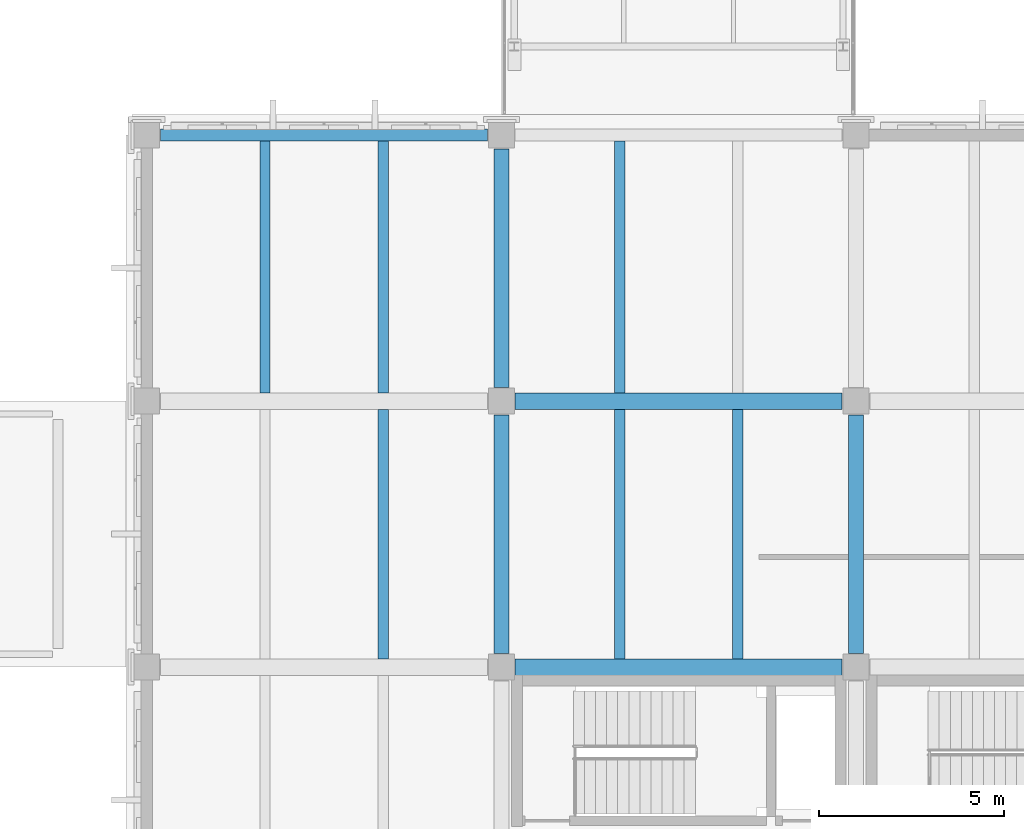
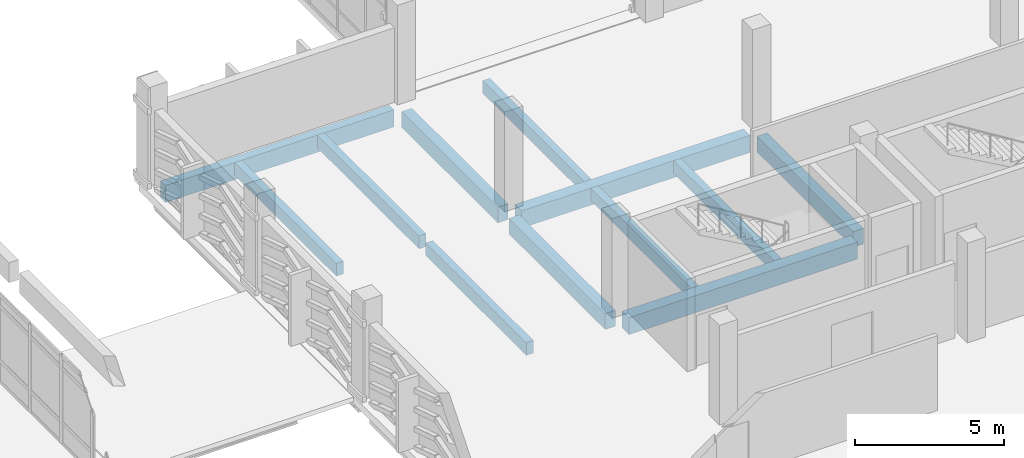
# One storey, part 75 of 180: 12 beams.
"""IFC4 building model written with IfcOpenShell, lengths in metres."""

from ifc_helpers import new_model, si_unit, direction, frame, origin, origin_2d, place, context, subcontext, project, spatial, rectangle, extrude, material, material_profile, profile_set, type_object, element, save


model = new_model("IFC4")

# Units and contexts
model_context = context("Model", 3, precision=1e-05, world=origin(), true_north=direction((0.0, 1.0)))
body_context = subcontext(model_context, "Body", "Model", "MODEL_VIEW")
ifc_project = project(units=[si_unit("LENGTHUNIT", "METRE"), si_unit("AREAUNIT", "SQUARE_METRE"), si_unit("VOLUMEUNIT", "CUBIC_METRE"), si_unit("PLANEANGLEUNIT", "RADIAN"), si_unit("MASSUNIT", "GRAM", prefix="KILO")], contexts=[model_context])

# Site, building, storey
site_placement = place(None, origin())
site = spatial("IfcSite", under=ifc_project, at=site_placement, CompositionType="ELEMENT")
building_placement = place(site_placement, origin())
building = spatial("IfcBuilding", under=site, at=building_placement, Name="Asteropetra Specialist Clinic", CompositionType="ELEMENT")
storey_placement = place(building_placement, frame((0.0, 0.0, 4.419921875)))
storey = spatial("IfcBuildingStorey", under=building, at=storey_placement, Name="L01", CompositionType="ELEMENT", Elevation=4.419921875)

# Beams
ifc_material_1 = material(Name="Concrete C35/45", Category="concrete")
ifc_material_profile_1 = material_profile(ifc_material_1, rectangle(XDim=0.39990234375, YDim=0.64990234375, at=origin_2d()), Name="RCB 400x650")
ifc_profile_set_1 = profile_set([ifc_material_profile_1], Name="Concrete C35/45")
beam_type_1 = type_object("IfcBeamType", Name="BM-RC400x650", PredefinedType="BEAM", material=ifc_profile_set_1)
for number, where, z_axis, x_axis, name in (
    (1, (115.199951171875, 48.375, -0.625), (0.0, 1.0, 0.0), (-1.0, 0.0, 0.0), "Beam BBM07-0534"),
    (2, (124.800048828125, 48.375, -0.625), (0.0, 1.0, 0.0), (-1.0, 0.0, 0.0), "Beam BBM07-0535"),
    (3, (115.199951171875, 55.574951171875, -0.625), (0.0, 1.0, 0.0), (-1.0, 0.0, 0.0), "Beam BBM07-0550"),
):
    element("IfcBeam", number, at=place(storey_placement, frame(where, z_axis=z_axis, x_axis=x_axis)), inside=storey, type_object=beam_type_1, Name=name, PredefinedType="BEAM", context=body_context, shape_type="SweptSolid", body=[
        extrude(rectangle(XDim=0.39990234375, YDim=0.64990234375, at=origin_2d()), origin(), (0.0, 0.0, 1.0), 6.449951171875),
    ])
ifc_material_2 = material(Name="Concrete C35/45", Category="concrete")
ifc_material_profile_2 = material_profile(ifc_material_2, rectangle(XDim=0.449951171875, YDim=0.699951171875, at=origin_2d()), Name="RCB 450x700")
ifc_profile_set_2 = profile_set([ifc_material_profile_2], Name="Concrete C35/45")
beam_type_2 = type_object("IfcBeamType", Name="BM-RC450x700", PredefinedType="BEAM", material=ifc_profile_set_2)
for number, where, z_axis, x_axis, name in (
    (4, (115.574951171875, 48.0, -0.64990234375), (1.0, 0.0, 0.0), (0.0, 1.0, 0.0), "Beam BBM05-0427"),
    (5, (115.574951171875, 55.199951171875, -0.64990234375), (1.0, 0.0, 0.0), (0.0, 1.0, 0.0), "Beam BBM05-0432"),
):
    element("IfcBeam", number, at=place(storey_placement, frame(where, z_axis=z_axis, x_axis=x_axis)), inside=storey, type_object=beam_type_2, Name=name, PredefinedType="BEAM", context=body_context, shape_type="SweptSolid", body=[
        extrude(rectangle(XDim=0.449951171875, YDim=0.699951171875, at=origin_2d()), origin(), (0.0, 0.0, 1.0), 8.85009765625),
    ])
ifc_material_3 = material(Name="Concrete C35/45", Category="concrete")
ifc_material_profile_3 = material_profile(ifc_material_3, rectangle(XDim=0.280029296875, YDim=0.52001953125, at=origin_2d()), Name="RCJ 280x520")
ifc_profile_set_3 = profile_set([ifc_material_profile_3], Name="Concrete C35/45")
beam_type_3 = type_object("IfcBeamType", Name="JST-RC280x520", PredefinedType="JOIST", material=ifc_profile_set_3)
for number, where, z_axis, x_axis, name in (
    (6, (112.0, 48.22509765625, -0.559814453125), (0.0, 1.0, 0.0), (-1.0, 0.0, 0.0), "Joist JJST01-0540"),
    (7, (118.39990234375, 48.22509765625, -0.559814453125), (0.0, 1.0, 0.0), (-1.0, 0.0, 0.0), "Joist JJST01-0541"),
    (8, (121.60009765625, 48.22509765625, -0.559814453125), (0.0, 1.0, 0.0), (-1.0, 0.0, 0.0), "Joist JJST01-0542"),
):
    element("IfcBeam", number, at=place(storey_placement, frame(where, z_axis=z_axis, x_axis=x_axis)), inside=storey, type_object=beam_type_3, Name=name, PredefinedType="JOIST", context=body_context, shape_type="SweptSolid", body=[
        extrude(rectangle(XDim=0.280029296875, YDim=0.52001953125, at=origin_2d()), origin(), (0.0, 0.0, 1.0), 6.75),
    ])
for number, where, z_axis, x_axis, name in (
    (9, (108.800048828125, 55.425048828125, -0.559814453125), (0.0, 1.0, 0.0), (-1.0, 0.0, 0.0), "Joist JJST01-0555"),
    (10, (112.0, 55.425048828125, -0.559814453125), (0.0, 1.0, 0.0), (-1.0, 0.0, 0.0), "Joist JJST01-0556"),
    (11, (118.39990234375, 55.425048828125, -0.559814453125), (0.0, 1.0, 0.0), (-1.0, 0.0, 0.0), "Joist JJST01-0557"),
):
    element("IfcBeam", number, at=place(storey_placement, frame(where, z_axis=z_axis, x_axis=x_axis)), inside=storey, type_object=beam_type_3, Name=name, PredefinedType="JOIST", context=body_context, shape_type="SweptSolid", body=[
        extrude(rectangle(XDim=0.280029296875, YDim=0.52001953125, at=origin_2d()), origin(), (0.0, 0.0, 1.0), 6.81494140625),
    ])
ifc_material_4 = material(Name="Concrete C35/45", Category="concrete")
ifc_material_profile_4 = material_profile(ifc_material_4, rectangle(XDim=0.320068359375, YDim=0.699951171875, at=origin_2d()), Name="RCS 320x700")
ifc_profile_set_4 = profile_set([ifc_material_profile_4], Name="Concrete C35/45")
beam_type_4 = type_object("IfcBeamType", Name="SPN-RC320x700", PredefinedType="SPANDREL", material=ifc_profile_set_4)
beam_placement = place(storey_placement, frame((105.97509765625, 62.39990234375, -0.64990234375), z_axis=(1.0, 0.0, 0.0), x_axis=(0.0, 1.0, 0.0)))
element("IfcBeam", 12, at=beam_placement, inside=storey, type_object=beam_type_4, Name="Beam BSPN02-0436", PredefinedType="SPANDREL", context=body_context, shape_type="SweptSolid", body=[
    extrude(rectangle(XDim=0.320068359375, YDim=0.699951171875, at=origin_2d()), origin(), (0.0, 0.0, 1.0), 8.849853515625),
])

save(model, "model.ifc")
